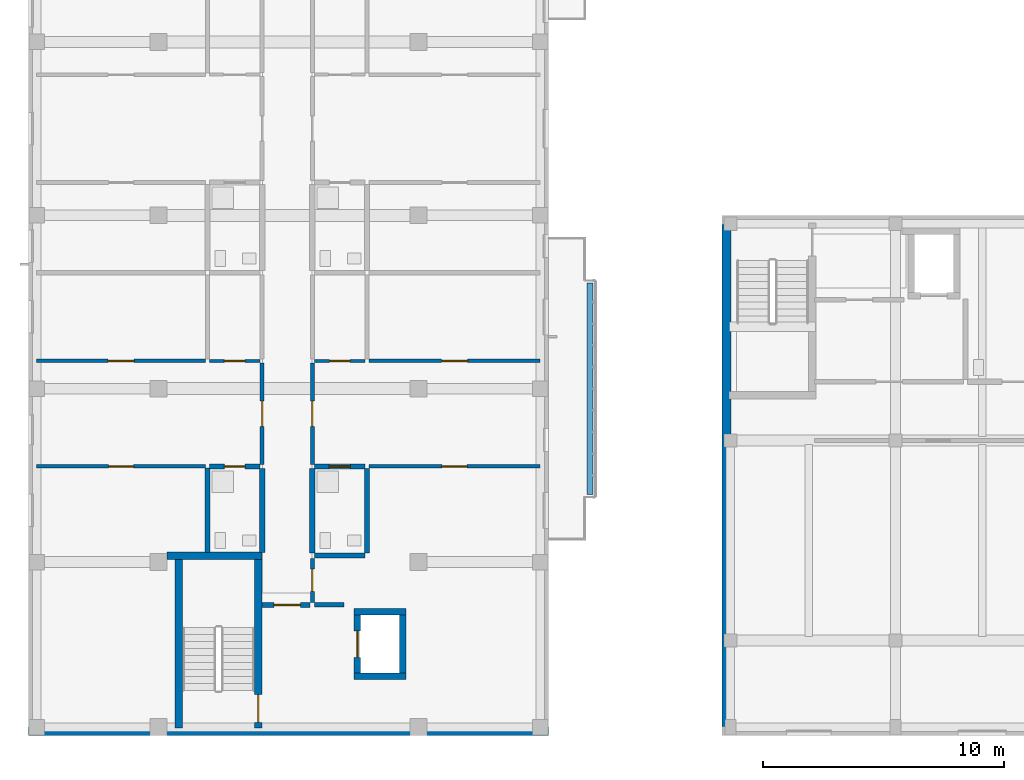
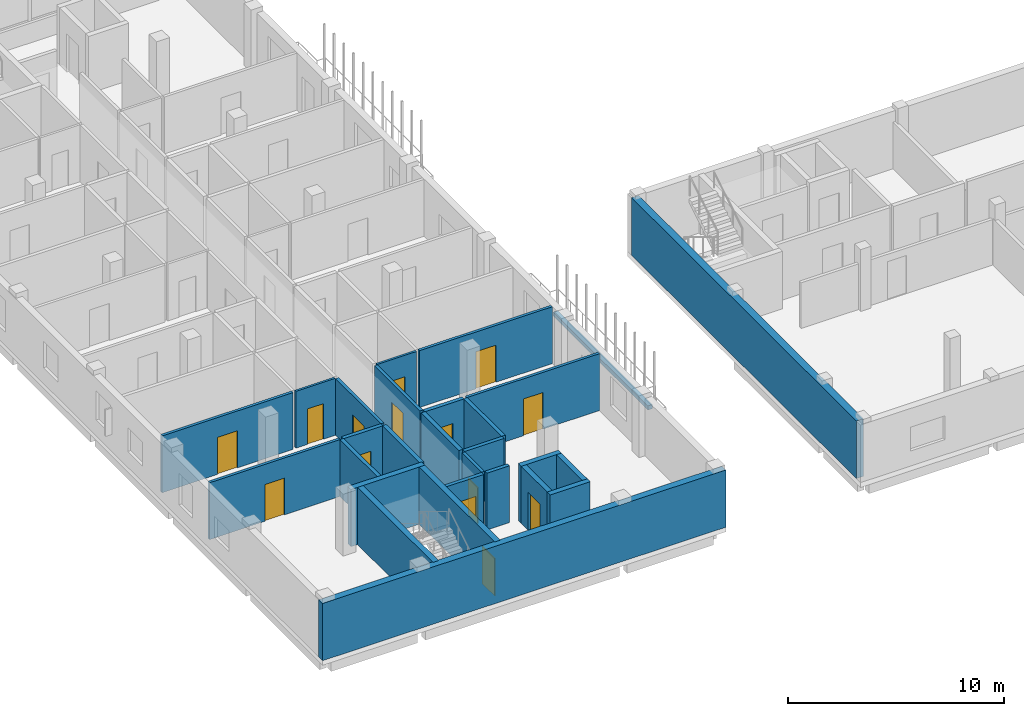
# One storey, part 35 of 73: 28 walls, 14 doors, 14 openings.
"""IFC4 building model written with IfcOpenShell, lengths in metres."""

import ifcopenshell
import ifcopenshell.guid

model = None  # the IFC model being written
_history = None  # IfcOwnerHistory: only IFC2X3 demands one
_inside = {}  # id of a spatial element -> (the spatial element, [elements in it])
_under = {}  # id of a project, library or spatial element -> (it, [spatial elements below it])
_declared = {}  # id of a project -> (the project, [libraries it declares])
_typed = {}  # id of a type object -> (the type object, [elements of that type])
_made_of = {}  # id of a material, layer set ... -> (it, [elements and type objects made of it])


def new_model(schema):
    """Start an empty IFC model of exactly this schema.

    Asked for "IFC4X3", IfcOpenShell would pick the latest addendum, in which some entities
    have other attributes; the version numbers below select the first issue.
    IFC2X3 requires an IfcOwnerHistory on every rooted entity: one is made here for all.
    """
    global model, _history
    if schema == "IFC4X3":
        model = ifcopenshell.file(schema_version=(4, 3, 0, 0))
    else:
        model = ifcopenshell.file(schema=schema)
    _inside.clear()
    _under.clear()
    _declared.clear()
    _typed.clear()
    _made_of.clear()
    _history = None
    if model.schema == "IFC2X3":
        org = make("IfcOrganization", Name="unknown")
        user = make(
            "IfcPersonAndOrganization",
            ThePerson=make("IfcPerson", FamilyName="unknown"),
            TheOrganization=org,
        )
        app = make(
            "IfcApplication",
            ApplicationDeveloper=org,
            Version="unknown",
            ApplicationFullName="unknown",
            ApplicationIdentifier="unknown",
        )
        _history = make(
            "IfcOwnerHistory",
            OwningUser=user,
            OwningApplication=app,
            ChangeAction="ADDED",
            CreationDate=0,
        )
    return model


def make(cls, **values):
    """One entity of the class cls with the attributes given. An attribute that is None is left unset."""
    return model.create_entity(
        cls, **{name: value for name, value in values.items() if value is not None}
    )


def rooted(cls, **values):
    """An entity with a GlobalId (a new one), such as an element, a storey or a relation."""
    return make(cls, GlobalId=ifcopenshell.guid.new(), OwnerHistory=_history, **values)


def si_unit(unit_type, name, prefix=None):
    """IfcSIUnit, for example si_unit("LENGTHUNIT", "METRE", prefix="MILLI")."""
    return make("IfcSIUnit", UnitType=unit_type, Prefix=prefix, Name=name)


def derived_unit(unit_type, elements):
    """IfcDerivedUnit: a product of units, each with its exponent."""
    return make(
        "IfcDerivedUnit",
        Elements=[
            make("IfcDerivedUnitElement", Unit=unit, Exponent=power)
            for unit, power in elements
        ],
        UnitType=unit_type,
    )


def assignment(units):
    """IfcUnitAssignment: the units of a project."""
    return None if units is None else make("IfcUnitAssignment", Units=units)


def point(xyz):
    """IfcCartesianPoint."""
    return None if xyz is None else make("IfcCartesianPoint", Coordinates=xyz)


def direction(xyz):
    """IfcDirection."""
    return None if xyz is None else make("IfcDirection", DirectionRatios=xyz)


def frame(location, z_axis=None, x_axis=None):
    """IfcAxis2Placement3D, a coordinate frame: its origin and axes. An axis left out is left unset."""
    return make(
        "IfcAxis2Placement3D",
        Location=point(location),
        Axis=direction(z_axis),
        RefDirection=direction(x_axis),
    )


def frame_2d(location, x_axis=None):
    """IfcAxis2Placement2D, a coordinate frame in the plane: its origin and x axis."""
    return make(
        "IfcAxis2Placement2D", Location=point(location), RefDirection=direction(x_axis)
    )


def origin():
    """The frame at (0, 0, 0) with its axes left unset."""
    return frame((0.0, 0.0, 0.0))


def place(relative_to, where):
    """IfcLocalPlacement: puts the frame where relative to a parent placement (None: the world)."""
    return make(
        "IfcLocalPlacement", PlacementRelTo=relative_to, RelativePlacement=where
    )


def context(
    kind, dimensions, precision=None, world=None, true_north=None, identifier=None
):
    """IfcGeometricRepresentationContext, for example the 3D "Model" context."""
    return make(
        "IfcGeometricRepresentationContext",
        ContextIdentifier=identifier,
        ContextType=kind,
        CoordinateSpaceDimension=dimensions,
        Precision=precision,
        WorldCoordinateSystem=world,
        TrueNorth=true_north,
    )


def subcontext(parent, identifier, kind, view, scale=None):
    """IfcGeometricRepresentationSubContext, for example "Body" below "Model"."""
    return make(
        "IfcGeometricRepresentationSubContext",
        ContextIdentifier=identifier,
        ContextType=kind,
        ParentContext=parent,
        TargetScale=scale,
        TargetView=view,
    )


def project(units=None, contexts=None):
    """IfcProject with its units and contexts."""
    return rooted(
        "IfcProject",
        Name="project",
        RepresentationContexts=contexts,
        UnitsInContext=assignment(units),
    )


def spatial(cls, under=None, at=None, **own):
    """A site, building, storey or space (cls), placed at a placement, below another one or the project."""
    s = rooted(cls, ObjectPlacement=at, **own)
    if under is not None:
        _under.setdefault(under.id(), (under, []))[1].append(s)
    return s


def profile(cls, at=None, kind="AREA", **sizes):
    """A parametric profile (cls). Its sizes go by their IFC names, for example OverallWidth=200.0."""
    return make(cls, ProfileType=kind, Position=at, **sizes)


def rectangle(**sizes):
    """IfcRectangleProfileDef."""
    return profile("IfcRectangleProfileDef", **sizes)


def extrude(swept, where, along, depth):
    """IfcExtrudedAreaSolid: the profile swept, set in the frame where, extruded along a direction by depth."""
    return make(
        "IfcExtrudedAreaSolid",
        SweptArea=swept,
        Position=where,
        ExtrudedDirection=direction(along),
        Depth=depth,
    )


def shape(context_of_items, identifier, shape_type, items):
    """IfcShapeRepresentation: the items that make up one representation, for example the "Body"."""
    return make(
        "IfcShapeRepresentation",
        ContextOfItems=context_of_items,
        RepresentationIdentifier=identifier,
        RepresentationType=shape_type,
        Items=items,
    )


def material(Name=None, Category=None):
    """IfcMaterial."""
    return make("IfcMaterial", Name=Name, Category=Category)


def layer(
    of_material, thickness, ventilated=None, Name=None, Category=None, Priority=None
):
    """IfcMaterialLayer: one layer of a wall or slab, of a material (None: an air gap)."""
    return make(
        "IfcMaterialLayer",
        Material=of_material,
        LayerThickness=thickness,
        IsVentilated=ventilated,
        Name=Name,
        Category=Category,
        Priority=Priority,
    )


def layer_set(layers, Name=None):
    """IfcMaterialLayerSet."""
    return make("IfcMaterialLayerSet", MaterialLayers=layers, LayerSetName=Name)


def made_of(thing, what):
    """Note that an element or type object is made of a material, layer set ...; save() writes the relation."""
    if what is not None:
        _made_of.setdefault(what.id(), (what, []))[1].append(thing)
    return thing


def type_object(cls, material=None, **own):
    """A type object (cls), such as IfcWallType, which elements share."""
    return made_of(rooted(cls, **own), material)


def element(
    cls,
    number,
    at=None,
    inside=None,
    cuts=None,
    type_object=None,
    material=None,
    context=None,
    identifier="Body",
    shape_type=None,
    held_by="IfcProductDefinitionShape",
    body=None,
    shapes=None,
    **own,
):
    """One element of the class cls, such as IfcWall. Its Tag is "e" and its number.

    at: its placement. inside: the storey or other place that contains it. cuts: it is an
    opening in that element (IfcRelVoidsElement). A single representation is given by context,
    identifier, shape_type and body (its items); several are given by shapes. held_by: the class
    of the entity that holds the representations. save() writes the other relations.
    """
    e = rooted(cls, Tag="e%d" % number, ObjectPlacement=at, **own)
    if body is not None:
        shapes = [shape(context, identifier, shape_type, body)]
    if shapes is not None:
        e.Representation = make(held_by, Representations=shapes)
    if inside is not None:
        _inside.setdefault(inside.id(), (inside, []))[1].append(e)
    if cuts is not None:
        rooted(
            "IfcRelVoidsElement", RelatingBuildingElement=cuts, RelatedOpeningElement=e
        )
    if type_object is not None:
        _typed.setdefault(type_object.id(), (type_object, []))[1].append(e)
    return made_of(e, material)


def fill(opening, filler):
    """IfcRelFillsElement: the door or window that sits in an opening."""
    return rooted(
        "IfcRelFillsElement",
        RelatingOpeningElement=opening,
        RelatedBuildingElement=filler,
    )


def aggregate(whole, parts):
    """IfcRelAggregates: a whole, such as a stair, and the parts it consists of."""
    return rooted("IfcRelAggregates", RelatingObject=whole, RelatedObjects=parts)


def save(model, path):
    """Write the relations noted so far, then the file.

    IfcRelAggregates (storeys below a building ...), IfcRelContainedInSpatialStructure (elements
    in a storey), IfcRelDefinesByType, IfcRelAssociatesMaterial and IfcRelDeclares: one each for
    every whole, place, type object, material and project.
    """
    for whole, parts in _under.values():
        aggregate(whole, parts)
    for where, things in _inside.values():
        rooted(
            "IfcRelContainedInSpatialStructure",
            RelatedElements=things,
            RelatingStructure=where,
        )
    for kind, things in _typed.values():
        rooted("IfcRelDefinesByType", RelatedObjects=things, RelatingType=kind)
    for what, things in _made_of.values():
        rooted("IfcRelAssociatesMaterial", RelatedObjects=things, RelatingMaterial=what)
    for by, libraries in _declared.values():
        rooted("IfcRelDeclares", RelatingContext=by, RelatedDefinitions=libraries)
    model.write(path)


model = new_model("IFC4")

# Units and contexts
model_context = context("Model", 3, precision=1e-05, world=origin(), true_north=direction((0.0, 1.0)))
body_context = subcontext(model_context, "Body", "Model", "MODEL_VIEW")
ifc_project = project(units=[si_unit("LENGTHUNIT", "METRE"), si_unit("AREAUNIT", "SQUARE_METRE"), si_unit("VOLUMEUNIT", "CUBIC_METRE"), si_unit("PLANEANGLEUNIT", "RADIAN"), si_unit("MASSUNIT", "GRAM", prefix="KILO"), derived_unit("THERMALTRANSMITTANCEUNIT", [(si_unit("MASSUNIT", "GRAM", prefix="KILO"), 1), (si_unit("TIMEUNIT", "SECOND"), -3), (si_unit("THERMODYNAMICTEMPERATUREUNIT", "KELVIN"), -1)])], contexts=[model_context])

# Site, building, storey
site_placement = place(None, origin())
site = spatial("IfcSite", under=ifc_project, at=site_placement, CompositionType="ELEMENT")
building_placement = place(site_placement, origin())
building = spatial("IfcBuilding", under=site, at=building_placement, Name="Ochrekiln Boulevard Commons", CompositionType="ELEMENT")
storey_placement = place(building_placement, frame((0.0, 0.0, 8.574951171875)))
storey = spatial("IfcBuildingStorey", under=building, at=storey_placement, Name="L02", CompositionType="ELEMENT", Elevation=8.574951171875)

# Walls
ifc_material_1 = material(Name="Desert ochre clinker brick masonry ASTM C216 Grade SW", Category="masonry")
ifc_layer_1 = layer(ifc_material_1, 0.3798828125)
ifc_layer_set_1 = layer_set([ifc_layer_1], Name="Desert ochre clinker brick masonry ASTM C216 Grade SW")
wall_type_1 = type_object("IfcWallType", Name="WL-EXT-ARC-380", PredefinedType="SOLIDWALL", material=ifc_layer_set_1)
wall_1_placement = place(storey_placement, frame((28.989990234375, 0.3798828125, 0.0), z_axis=(0.0, 0.0, 1.0), x_axis=(0.0, 1.0, 0.0)))
element("IfcWall", 1, at=wall_1_placement, inside=storey, type_object=wall_type_1, Name="West Boulevard Arcade L02 W Exterior Wall", PredefinedType="SOLIDWALL", context=body_context, shape_type="SweptSolid", body=[
    extrude(rectangle(XDim=20.840087890625, YDim=0.3798828125, at=frame_2d((10.419921875, 0.0))), origin(), (0.0, 0.0, 1.0), 3.260009765625),
])
ifc_material_2 = material(Name="Iron-spot brown clinker brick masonry ASTM C216 Grade SW", Category="masonry")
ifc_layer_2 = layer(ifc_material_2, 0.364990234375)
ifc_layer_set_2 = layer_set([ifc_layer_2], Name="Iron-spot brown clinker brick masonry ASTM C216 Grade SW")
wall_type_2 = type_object("IfcWallType", Name="WL-EXT-IRON-365", PredefinedType="SOLIDWALL", material=ifc_layer_set_2)
wall_2_placement = place(storey_placement, frame((0.0, 0.1826171875, 0.0), z_axis=(0.0, 0.0, 1.0), x_axis=(1.0, 0.0, 0.0)))
element("IfcWall", 2, at=wall_2_placement, inside=storey, type_object=wall_type_2, Name="Block D L02 S Exterior Wall", PredefinedType="SOLIDWALL", context=body_context, shape_type="SweptSolid", body=[
    extrude(rectangle(XDim=21.60009765625, YDim=0.364990234375, at=frame_2d((10.800048828125, 0.0))), origin(), (0.0, 0.0, 1.0), 3.239990234375),
])
ifc_material_3 = material(Name="Moisture-resistant cementitious tile backer wall")
ifc_layer_3 = layer(ifc_material_3, 0.199951171875)
ifc_layer_set_3 = layer_set([ifc_layer_3], Name="Moisture-resistant cementitious tile backer wall")
wall_type_3 = type_object("IfcWallType", Name="WL-PLM-200", PredefinedType="PLUMBINGWALL", material=ifc_layer_set_3)
wall_3_placement = place(storey_placement, frame((11.8720703125, 7.47509765625, 0.0), z_axis=(0.0, 0.0, 1.0), x_axis=(1.0, 0.0, 0.0)))
element("IfcWall", 3, at=wall_3_placement, inside=storey, type_object=wall_type_3, Name="L02 Interior Wall W-PW200", PredefinedType="PLUMBINGWALL", context=body_context, shape_type="SweptSolid", body=[
    extrude(rectangle(XDim=2.10791015625, YDim=0.199951171875, at=frame_2d((1.053955078125, 0.0))), origin(), (0.0, 0.0, 1.0), 3.219970703125),
])

# Wall, opening, door
wall_4_placement = place(storey_placement, frame((7.52001953125, 11.173095703125, 0.0), z_axis=(0.0, 0.0, 1.0), x_axis=(1.0, 0.0, 0.0)))
wall_4 = element("IfcWall", 4, at=wall_4_placement, inside=storey, type_object=wall_type_3, Name="L02 Interior Wall W-PW200", PredefinedType="PLUMBINGWALL", context=body_context, shape_type="SweptSolid", body=[
    extrude(rectangle(XDim=2.10791015625, YDim=0.199951171875, at=frame_2d((1.053955078125, 0.0))), origin(), (0.0, 0.0, 1.0), 3.219970703125),
])
opening_1_placement = place(wall_4_placement, frame((0.6201171875, 0.0, 0.0)))
opening_1 = element("IfcOpeningElement", 5, at=opening_1_placement, cuts=wall_4, Name="Opening D-L02-406", PredefinedType="OPENING", context=body_context, shape_type="SweptSolid", body=[
    extrude(rectangle(XDim=0.860107421875, YDim=2.0, at=frame_2d((0.43017578125, 1.0))), frame((0.0, 0.10986328125, 0.0), z_axis=(0.0, -1.0, 0.0), x_axis=(1.0, 0.0, 0.0)), (0.0, 0.0, 1.0), 0.219970703125),
])
ifc_material_4 = material(Name="Solid core architectural oak door leaf")
door_type_1 = type_object("IfcDoorType", Name="DR-INT-BTH-086", OperationType="NOTDEFINED", PredefinedType="DOOR", material=ifc_material_4)
door_1_placement = place(opening_1_placement, frame((0.860107421875, 0.0, 0.0), z_axis=(0.0, 0.0, 1.0), x_axis=(-1.0, 0.0, 0.0)))
door_1 = element("IfcDoor", 6, at=door_1_placement, inside=storey, type_object=door_type_1, Name="L02 Interior Door to Accessible Apartment Bathroom", OperationType="SINGLE_SWING_RIGHT", OverallHeight=2.0, OverallWidth=0.860107421875, PredefinedType="DOOR", context=body_context, shape_type="SweptSolid", body=[
    extrude(rectangle(XDim=0.860107421875, YDim=2.0, at=frame_2d((0.43017578125, 1.0))), frame((0.0, 0.02490234375, 0.0), z_axis=(0.0, -1.0, 0.0), x_axis=(1.0, 0.0, 0.0)), (0.0, 0.0, 1.0), 0.050048828125),
])
fill(opening_1, door_1)

# Wall
wall_5_placement = place(storey_placement, frame((7.43994140625, 7.60009765625, 0.0), z_axis=(0.0, 0.0, 1.0), x_axis=(0.0, 1.0, 0.0)))
element("IfcWall", 7, at=wall_5_placement, inside=storey, type_object=wall_type_3, Name="L02 Interior Wall W-PW200", PredefinedType="PLUMBINGWALL", context=body_context, shape_type="SweptSolid", body=[
    extrude(rectangle(XDim=3.497802734375, YDim=0.199951171875, at=frame_2d((1.7490234375, 0.0))), origin(), (0.0, 0.0, 1.0), 3.219970703125),
])

# Wall, opening, door
wall_6_placement = place(storey_placement, frame((11.8720703125, 11.173095703125, 0.0), z_axis=(0.0, 0.0, 1.0), x_axis=(1.0, 0.0, 0.0)))
wall_6 = element("IfcWall", 8, at=wall_6_placement, inside=storey, type_object=wall_type_3, Name="L02 Interior Wall W-PW200", PredefinedType="PLUMBINGWALL", context=body_context, shape_type="SweptSolid", body=[
    extrude(rectangle(XDim=2.10791015625, YDim=0.199951171875, at=frame_2d((1.053955078125, 0.0))), origin(), (0.0, 0.0, 1.0), 3.219970703125),
])
opening_2_placement = place(wall_6_placement, frame((0.613037109375, 0.0, 0.0)))
opening_2 = element("IfcOpeningElement", 9, at=opening_2_placement, cuts=wall_6, Name="Opening D-L02-418", PredefinedType="OPENING", context=body_context, shape_type="SweptSolid", body=[
    extrude(rectangle(XDim=0.889892578125, YDim=2.030029296875, at=frame_2d((0.44482421875, 1.01513671875))), frame((0.0, 0.10986328125, 0.0), z_axis=(0.0, -1.0, 0.0), x_axis=(1.0, 0.0, 0.0)), (0.0, 0.0, 1.0), 0.219970703125),
])
door_type_2 = type_object("IfcDoorType", Name="DR-INT-BTH-089", OperationType="NOTDEFINED", PredefinedType="DOOR", material=ifc_material_4)
door_2_placement = place(opening_2_placement, frame((0.889892578125, 0.0, 0.0), z_axis=(0.0, 0.0, 1.0), x_axis=(-1.0, 0.0, 0.0)))
door_2 = element("IfcDoor", 10, at=door_2_placement, inside=storey, type_object=door_type_2, Name="L02 Interior Door to Apartment Bathroom", OperationType="SINGLE_SWING_RIGHT", OverallHeight=2.030029296875, OverallWidth=0.889892578125, PredefinedType="DOOR", context=body_context, shape_type="SweptSolid", body=[
    extrude(rectangle(XDim=0.889892578125, YDim=2.030029296875, at=frame_2d((0.44482421875, 1.01513671875))), frame((0.0, 0.02490234375, 0.0), z_axis=(0.0, -1.0, 0.0), x_axis=(1.0, 0.0, 0.0)), (0.0, 0.0, 1.0), 0.050048828125),
])
fill(opening_2, door_2)

# Walls
wall_7_placement = place(storey_placement, frame((14.06005859375, 7.574951171875, 0.0), z_axis=(0.0, 0.0, 1.0), x_axis=(0.0, 1.0, 0.0)))
element("IfcWall", 11, at=wall_7_placement, inside=storey, type_object=wall_type_3, Name="L02 Interior Wall W-PW200", PredefinedType="PLUMBINGWALL", context=body_context, shape_type="SweptSolid", body=[
    extrude(rectangle(XDim=3.52294921875, YDim=0.199951171875, at=frame_2d((1.761474609375, 0.0))), origin(), (0.0, 0.0, 1.0), 3.219970703125),
])
ifc_layer_4 = layer(ifc_material_3, 0.219970703125)
ifc_layer_set_4 = layer_set([ifc_layer_4], Name="Moisture-resistant cementitious tile backer wall")
wall_type_4 = type_object("IfcWallType", Name="WL-PLM-220", PredefinedType="PLUMBINGWALL", material=ifc_layer_set_4)
wall_8_placement = place(storey_placement, frame((9.7099609375, 7.60009765625, 0.0), z_axis=(0.0, 0.0, 1.0), x_axis=(0.0, 1.0, 0.0)))
element("IfcWall", 12, at=wall_8_placement, inside=storey, type_object=wall_type_4, Name="L02 Interior Wall W-PW220", PredefinedType="PLUMBINGWALL", context=body_context, shape_type="SweptSolid", body=[
    extrude(rectangle(XDim=3.492919921875, YDim=0.219970703125, at=frame_2d((1.74658203125, 0.0))), origin(), (0.0, 0.0, 1.0), 3.219970703125),
])
wall_9_placement = place(storey_placement, frame((11.7900390625, 7.574951171875, 0.0), z_axis=(0.0, 0.0, 1.0), x_axis=(0.0, 1.0, 0.0)))
element("IfcWall", 13, at=wall_9_placement, inside=storey, type_object=wall_type_4, Name="L02 Interior Wall W-PW220", PredefinedType="PLUMBINGWALL", context=body_context, shape_type="SweptSolid", body=[
    extrude(rectangle(XDim=3.51806640625, YDim=0.219970703125, at=frame_2d((1.759033203125, 0.0))), origin(), (0.0, 0.0, 1.0), 3.219970703125),
])
ifc_material_5 = material(Name="Glazed architectural terracotta ASTM C1405", Category="masonry")
ifc_layer_5 = layer(ifc_material_5, 0.25)
ifc_layer_set_5 = layer_set([ifc_layer_5], Name="Glazed architectural terracotta ASTM C1405")
wall_type_5 = type_object("IfcWallType", Name="WL-PLN-250", PredefinedType="PARAPET", material=ifc_layer_set_5)
wall_10_placement = place(storey_placement, frame((23.320068359375, 10.010009765625, 0.0), z_axis=(0.0, 0.0, 1.0), x_axis=(0.0, 1.0, 0.0)))
element("IfcWall", 14, at=wall_10_placement, inside=storey, type_object=wall_type_5, Name="Block D L02 Balcony Terracotta Planter Box 1", PredefinedType="PARAPET", context=body_context, shape_type="SweptSolid", body=[
    extrude(rectangle(XDim=8.780029296875, YDim=0.25, at=frame_2d((4.39013671875, 0.0))), origin(), (0.0, 0.0, 1.0), 0.22998046875),
])

# Wall, opening, door
ifc_material_6 = material(Name="Fire-rated Type X gypsum board on steel studs", Category="steel")
ifc_layer_6 = layer(ifc_material_6, 0.1650390625)
ifc_layer_set_6 = layer_set([ifc_layer_6], Name="Fire-rated Type X gypsum board on steel studs")
wall_type_6 = type_object("IfcWallType", Name="WL-PT-CORR-165", PredefinedType="PARTITIONING", material=ifc_layer_set_6)
wall_11_placement = place(storey_placement, frame((11.7900390625, 5.530029296875, 0.0), z_axis=(0.0, 0.0, 1.0), x_axis=(0.0, 1.0, 0.0)))
wall_11 = element("IfcWall", 15, at=wall_11_placement, inside=storey, type_object=wall_type_6, Name="L02 Interior Wall W-PC165", PredefinedType="PARTITIONING", context=body_context, shape_type="SweptSolid", body=[
    extrude(rectangle(XDim=1.820068359375, YDim=0.1650390625, at=frame_2d((0.91015625, 0.0))), origin(), (0.0, 0.0, 1.0), 3.219970703125),
])
opening_3_placement = place(wall_11_placement, frame((0.4599609375, 0.0, 0.0)))
opening_3 = element("IfcOpeningElement", 16, at=opening_3_placement, cuts=wall_11, Name="Opening D-L02-399", PredefinedType="OPENING", context=body_context, shape_type="SweptSolid", body=[
    extrude(rectangle(XDim=0.919921875, YDim=2.0400390625, at=frame_2d((0.4599609375, 1.02001953125))), frame((0.0, 0.092529296875, 0.0), z_axis=(0.0, -1.0, 0.0), x_axis=(1.0, 0.0, 0.0)), (0.0, 0.0, 1.0), 0.18505859375),
])
ifc_material_7 = material(Name="Hollow metal fire-rated steel door assembly", Category="steel")
door_type_3 = type_object("IfcDoorType", Name="DR-SRV-90", OperationType="NOTDEFINED", PredefinedType="DOOR", material=ifc_material_7)
door_3_placement = place(opening_3_placement, frame((0.919921875, 0.0, 0.0), z_axis=(0.0, 0.0, 1.0), x_axis=(-1.0, 0.0, 0.0)))
door_3 = element("IfcDoor", 17, at=door_3_placement, inside=storey, type_object=door_type_3, Name="L02 Interior Door to Hydronic and Electrical Riser Room", OperationType="SINGLE_SWING_LEFT", OverallHeight=2.0400390625, OverallWidth=0.919921875, PredefinedType="DOOR", context=body_context, shape_type="SweptSolid", body=[
    extrude(rectangle(XDim=0.919921875, YDim=2.0400390625, at=frame_2d((0.4599609375, 1.02001953125))), frame((0.0, 0.02490234375, 0.0), z_axis=(0.0, -1.0, 0.0), x_axis=(1.0, 0.0, 0.0)), (0.0, 0.0, 1.0), 0.050048828125),
])
fill(opening_3, door_3)

wall_12_placement = place(storey_placement, frame((9.7099609375, 11.2529296875, 0.0), z_axis=(0.0, 0.0, 1.0), x_axis=(0.0, 1.0, 0.0)))
wall_12 = element("IfcWall", 18, at=wall_12_placement, inside=storey, type_object=wall_type_6, Name="L02 Interior Wall W-PC165", PredefinedType="PARTITIONING", context=body_context, shape_type="SweptSolid", body=[
    extrude(rectangle(XDim=4.219970703125, YDim=0.1650390625, at=frame_2d((2.10986328125, 0.0))), origin(), (0.0, 0.0, 1.0), 3.219970703125),
])
opening_4_placement = place(wall_12_placement, frame((1.5849609375, 0.0, 0.0)))
opening_4 = element("IfcOpeningElement", 19, at=opening_4_placement, cuts=wall_12, Name="Opening D-L02-400", PredefinedType="OPENING", context=body_context, shape_type="SweptSolid", body=[
    extrude(rectangle(XDim=1.050048828125, YDim=2.1298828125, at=frame_2d((0.52490234375, 1.06494140625))), frame((0.0, 0.092529296875, 0.0), z_axis=(0.0, -1.0, 0.0), x_axis=(1.0, 0.0, 0.0)), (0.0, 0.0, 1.0), 0.18505859375),
])
door_type_4 = type_object("IfcDoorType", Name="DR-INT-APT-105", OperationType="NOTDEFINED", PredefinedType="DOOR", material=ifc_material_4)
door_4_placement = place(opening_4_placement, origin())
door_4 = element("IfcDoor", 20, at=door_4_placement, inside=storey, type_object=door_type_4, Name="L02 Interior Door to Two-Bedroom Apartment Living Room", OperationType="SINGLE_SWING_RIGHT", OverallHeight=2.1298828125, OverallWidth=1.050048828125, PredefinedType="DOOR", context=body_context, shape_type="SweptSolid", body=[
    extrude(rectangle(XDim=1.050048828125, YDim=2.1298828125, at=frame_2d((0.52490234375, 1.06494140625))), frame((0.0, 0.02490234375, 0.0), z_axis=(0.0, -1.0, 0.0), x_axis=(1.0, 0.0, 0.0)), (0.0, 0.0, 1.0), 0.050048828125),
])
fill(opening_4, door_4)

wall_13_placement = place(storey_placement, frame((11.7900390625, 11.2529296875, 0.0), z_axis=(0.0, 0.0, 1.0), x_axis=(0.0, 1.0, 0.0)))
wall_13 = element("IfcWall", 21, at=wall_13_placement, inside=storey, type_object=wall_type_6, Name="L02 Interior Wall W-PC165", PredefinedType="PARTITIONING", context=body_context, shape_type="SweptSolid", body=[
    extrude(rectangle(XDim=4.219970703125, YDim=0.1650390625, at=frame_2d((2.10986328125, 0.0))), origin(), (0.0, 0.0, 1.0), 3.219970703125),
])
opening_5_placement = place(wall_13_placement, frame((1.5849609375, 0.0, 0.0)))
opening_5 = element("IfcOpeningElement", 22, at=opening_5_placement, cuts=wall_13, Name="Opening D-L02-403", PredefinedType="OPENING", context=body_context, shape_type="SweptSolid", body=[
    extrude(rectangle(XDim=1.050048828125, YDim=2.1298828125, at=frame_2d((0.52490234375, 1.06494140625))), frame((0.0, 0.092529296875, 0.0), z_axis=(0.0, -1.0, 0.0), x_axis=(1.0, 0.0, 0.0)), (0.0, 0.0, 1.0), 0.18505859375),
])
door_5_placement = place(opening_5_placement, frame((1.050048828125, 0.0, 0.0), z_axis=(0.0, 0.0, 1.0), x_axis=(-1.0, 0.0, 0.0)))
door_5 = element("IfcDoor", 23, at=door_5_placement, inside=storey, type_object=door_type_4, Name="L02 Interior Door to Two-Bedroom Apartment Living Room", OperationType="SINGLE_SWING_LEFT", OverallHeight=2.1298828125, OverallWidth=1.050048828125, PredefinedType="DOOR", context=body_context, shape_type="SweptSolid", body=[
    extrude(rectangle(XDim=1.050048828125, YDim=2.1298828125, at=frame_2d((0.52490234375, 1.06494140625))), frame((0.0, 0.02490234375, 0.0), z_axis=(0.0, -1.0, 0.0), x_axis=(1.0, 0.0, 0.0)), (0.0, 0.0, 1.0), 0.050048828125),
])
fill(opening_5, door_5)

# Wall
ifc_layer_7 = layer(ifc_material_6, 0.18994140625)
ifc_layer_set_7 = layer_set([ifc_layer_7], Name="Fire-rated Type X gypsum board on steel studs")
wall_type_7 = type_object("IfcWallType", Name="WL-PT-LBY-190", PredefinedType="PARTITIONING", material=ifc_layer_set_7)
wall_14_placement = place(storey_placement, frame((11.8798828125, 5.43505859375, 0.0), z_axis=(0.0, 0.0, 1.0), x_axis=(1.0, 0.0, 0.0)))
element("IfcWall", 24, at=wall_14_placement, inside=storey, type_object=wall_type_7, Name="L02 Interior Wall W-PL190", PredefinedType="PARTITIONING", context=body_context, shape_type="SweptSolid", body=[
    extrude(rectangle(XDim=1.22021484375, YDim=0.18994140625, at=frame_2d((0.610107421875, 0.0))), origin(), (0.0, 0.0, 1.0), 3.219970703125),
])

# Wall, opening, door
wall_15_placement = place(storey_placement, frame((9.699951171875, 5.419921875, 0.0), z_axis=(0.0, 0.0, 1.0), x_axis=(1.0, 0.0, 0.0)))
wall_15 = element("IfcWall", 25, at=wall_15_placement, inside=storey, type_object=wall_type_7, Name="L02 Interior Wall W-PL190", PredefinedType="PARTITIONING", context=body_context, shape_type="SweptSolid", body=[
    extrude(rectangle(XDim=2.0, YDim=0.18994140625, at=frame_2d((1.0, 0.0))), origin(), (0.0, 0.0, 1.0), 3.219970703125),
])
opening_6_placement = place(wall_15_placement, frame((0.5, 0.0, 0.0)))
opening_6 = element("IfcOpeningElement", 26, at=opening_6_placement, cuts=wall_15, Name="Opening D-L02-397", PredefinedType="OPENING", context=body_context, shape_type="SweptSolid", body=[
    extrude(rectangle(XDim=1.10009765625, YDim=2.1201171875, at=frame_2d((0.550048828125, 1.06005859375))), frame((0.0, 0.10498046875, 0.0), z_axis=(0.0, -1.0, 0.0), x_axis=(1.0, 0.0, 0.0)), (0.0, 0.0, 1.0), 0.2099609375),
])
door_type_5 = type_object("IfcDoorType", Name="DR-LOBBY-60", OperationType="NOTDEFINED", PredefinedType="DOOR", material=ifc_material_7)
door_6_placement = place(opening_6_placement, frame((1.10009765625, 0.0, 0.0), z_axis=(0.0, 0.0, 1.0), x_axis=(-1.0, 0.0, 0.0)))
door_6 = element("IfcDoor", 27, at=door_6_placement, inside=storey, type_object=door_type_5, Name="L02 Interior Door to Passenger Elevator Lobby", OperationType="SINGLE_SWING_LEFT", OverallHeight=2.1201171875, OverallWidth=1.10009765625, PredefinedType="DOOR", context=body_context, shape_type="SweptSolid", body=[
    extrude(rectangle(XDim=1.10009765625, YDim=2.1201171875, at=frame_2d((0.550048828125, 1.06005859375))), frame((0.0, 0.02490234375, 0.0), z_axis=(0.0, -1.0, 0.0), x_axis=(1.0, 0.0, 0.0)), (0.0, 0.0, 1.0), 0.050048828125),
])
fill(opening_6, door_6)

ifc_layer_8 = layer(ifc_material_6, 0.1201171875)
ifc_layer_set_8 = layer_set([ifc_layer_8], Name="Fire-rated Type X gypsum board on steel studs")
wall_type_8 = type_object("IfcWallType", Name="WL-PT-LGT-120", PredefinedType="PARTITIONING", material=ifc_layer_set_8)
wall_16_placement = place(storey_placement, frame((7.52001953125, 15.552978515625, 0.0), z_axis=(0.0, 0.0, 1.0), x_axis=(1.0, 0.0, 0.0)))
wall_16 = element("IfcWall", 28, at=wall_16_placement, inside=storey, type_object=wall_type_8, Name="L02 Interior Wall W-PL120", PredefinedType="PARTITIONING", context=body_context, shape_type="SweptSolid", body=[
    extrude(rectangle(XDim=2.10791015625, YDim=0.1201171875, at=frame_2d((1.053955078125, 0.0))), origin(), (0.0, 0.0, 1.0), 3.219970703125),
])
opening_7_placement = place(wall_16_placement, frame((0.625, 0.0, 0.0)))
opening_7 = element("IfcOpeningElement", 29, at=opening_7_placement, cuts=wall_16, Name="Opening D-L02-407", PredefinedType="OPENING", context=body_context, shape_type="SweptSolid", body=[
    extrude(rectangle(XDim=0.85009765625, YDim=2.010009765625, at=frame_2d((0.425048828125, 1.0048828125))), frame((0.0, 0.070068359375, 0.0), z_axis=(0.0, -1.0, 0.0), x_axis=(1.0, 0.0, 0.0)), (0.0, 0.0, 1.0), 0.14013671875),
])
door_type_6 = type_object("IfcDoorType", Name="DR-INT-KIT-085", OperationType="NOTDEFINED", PredefinedType="DOOR", material=ifc_material_4)
door_7_placement = place(opening_7_placement, origin())
door_7 = element("IfcDoor", 30, at=door_7_placement, inside=storey, type_object=door_type_6, Name="L02 Interior Door to Apartment Kitchen", OperationType="SINGLE_SWING_LEFT", OverallHeight=2.010009765625, OverallWidth=0.85009765625, PredefinedType="DOOR", context=body_context, shape_type="SweptSolid", body=[
    extrude(rectangle(XDim=0.85009765625, YDim=2.010009765625, at=frame_2d((0.425048828125, 1.0048828125))), frame((0.0, 0.02490234375, 0.0), z_axis=(0.0, -1.0, 0.0), x_axis=(1.0, 0.0, 0.0)), (0.0, 0.0, 1.0), 0.050048828125),
])
fill(opening_7, door_7)

wall_17_placement = place(storey_placement, frame((11.8720703125, 15.552978515625, 0.0), z_axis=(0.0, 0.0, 1.0), x_axis=(1.0, 0.0, 0.0)))
wall_17 = element("IfcWall", 31, at=wall_17_placement, inside=storey, type_object=wall_type_8, Name="L02 Interior Wall W-PL120", PredefinedType="PARTITIONING", context=body_context, shape_type="SweptSolid", body=[
    extrude(rectangle(XDim=2.10791015625, YDim=0.1201171875, at=frame_2d((1.053955078125, 0.0))), origin(), (0.0, 0.0, 1.0), 3.219970703125),
])
opening_8_placement = place(wall_17_placement, frame((0.633056640625, 0.0, 0.0)))
opening_8 = element("IfcOpeningElement", 32, at=opening_8_placement, cuts=wall_17, Name="Opening D-L02-419", PredefinedType="OPENING", context=body_context, shape_type="SweptSolid", body=[
    extrude(rectangle(XDim=0.85009765625, YDim=2.010009765625, at=frame_2d((0.425048828125, 1.0048828125))), frame((0.0, 0.070068359375, 0.0), z_axis=(0.0, -1.0, 0.0), x_axis=(1.0, 0.0, 0.0)), (0.0, 0.0, 1.0), 0.14013671875),
])
door_8_placement = place(opening_8_placement, origin())
door_8 = element("IfcDoor", 33, at=door_8_placement, inside=storey, type_object=door_type_6, Name="L02 Interior Door to Apartment Kitchen", OperationType="SINGLE_SWING_LEFT", OverallHeight=2.010009765625, OverallWidth=0.85009765625, PredefinedType="DOOR", context=body_context, shape_type="SweptSolid", body=[
    extrude(rectangle(XDim=0.85009765625, YDim=2.010009765625, at=frame_2d((0.425048828125, 1.0048828125))), frame((0.0, 0.02490234375, 0.0), z_axis=(0.0, -1.0, 0.0), x_axis=(1.0, 0.0, 0.0)), (0.0, 0.0, 1.0), 0.050048828125),
])
fill(opening_8, door_8)

ifc_layer_9 = layer(ifc_material_6, 0.14990234375)
ifc_layer_set_9 = layer_set([ifc_layer_9], Name="Fire-rated Type X gypsum board on steel studs")
wall_type_9 = type_object("IfcWallType", Name="WL-PT-STD-150", PredefinedType="PARTITIONING", material=ifc_layer_set_9)
wall_18_placement = place(storey_placement, frame((0.35009765625, 11.173095703125, 0.0), z_axis=(0.0, 0.0, 1.0), x_axis=(1.0, 0.0, 0.0)))
wall_18 = element("IfcWall", 34, at=wall_18_placement, inside=storey, type_object=wall_type_9, Name="L02 Interior Wall W-PS150", PredefinedType="PARTITIONING", context=body_context, shape_type="SweptSolid", body=[
    extrude(rectangle(XDim=7.010009765625, YDim=0.14990234375, at=frame_2d((3.5048828125, 0.0))), origin(), (0.0, 0.0, 1.0), 3.219970703125),
])
opening_9_placement = place(wall_18_placement, frame((2.985107421875, 0.0, 0.0)))
opening_9 = element("IfcOpeningElement", 35, at=opening_9_placement, cuts=wall_18, Name="Opening D-L02-408", PredefinedType="OPENING", context=body_context, shape_type="SweptSolid", body=[
    extrude(rectangle(XDim=1.0400390625, YDim=2.080078125, at=frame_2d((0.52001953125, 1.0400390625))), frame((0.0, 0.0849609375, 0.0), z_axis=(0.0, -1.0, 0.0), x_axis=(1.0, 0.0, 0.0)), (0.0, 0.0, 1.0), 0.169921875),
])
door_type_7 = type_object("IfcDoorType", Name="DR-INT-BED-104", OperationType="NOTDEFINED", PredefinedType="DOOR", material=ifc_material_4)
door_9_placement = place(opening_9_placement, frame((1.0400390625, 0.0, 0.0), z_axis=(0.0, 0.0, 1.0), x_axis=(-1.0, 0.0, 0.0)))
door_9 = element("IfcDoor", 36, at=door_9_placement, inside=storey, type_object=door_type_7, Name="L02 Interior Door to Primary Apartment Bedroom", OperationType="SINGLE_SWING_RIGHT", OverallHeight=2.080078125, OverallWidth=1.0400390625, PredefinedType="DOOR", context=body_context, shape_type="SweptSolid", body=[
    extrude(rectangle(XDim=1.0400390625, YDim=2.080078125, at=frame_2d((0.52001953125, 1.0400390625))), frame((0.0, 0.02490234375, 0.0), z_axis=(0.0, -1.0, 0.0), x_axis=(1.0, 0.0, 0.0)), (0.0, 0.0, 1.0), 0.050048828125),
])
fill(opening_9, door_9)

wall_19_placement = place(storey_placement, frame((0.35009765625, 15.552978515625, 0.0), z_axis=(0.0, 0.0, 1.0), x_axis=(1.0, 0.0, 0.0)))
wall_19 = element("IfcWall", 37, at=wall_19_placement, inside=storey, type_object=wall_type_9, Name="L02 Interior Wall W-PS150", PredefinedType="PARTITIONING", context=body_context, shape_type="SweptSolid", body=[
    extrude(rectangle(XDim=7.010009765625, YDim=0.14990234375, at=frame_2d((3.5048828125, 0.0))), origin(), (0.0, 0.0, 1.0), 3.219970703125),
])
opening_10_placement = place(wall_19_placement, frame((2.965087890625, 0.0, 0.0)))
opening_10 = element("IfcOpeningElement", 38, at=opening_10_placement, cuts=wall_19, Name="Opening D-L02-409", PredefinedType="OPENING", context=body_context, shape_type="SweptSolid", body=[
    extrude(rectangle(XDim=1.080078125, YDim=2.10009765625, at=frame_2d((0.5400390625, 1.050048828125))), frame((0.0, 0.0849609375, 0.0), z_axis=(0.0, -1.0, 0.0), x_axis=(1.0, 0.0, 0.0)), (0.0, 0.0, 1.0), 0.169921875),
])
door_type_8 = type_object("IfcDoorType", Name="DR-INT-BED-108", OperationType="NOTDEFINED", PredefinedType="DOOR", material=ifc_material_4)
door_10_placement = place(opening_10_placement, origin())
door_10 = element("IfcDoor", 39, at=door_10_placement, inside=storey, type_object=door_type_8, Name="L02 Interior Door to Secondary Apartment Bedroom", OperationType="SINGLE_SWING_LEFT", OverallHeight=2.10009765625, OverallWidth=1.080078125, PredefinedType="DOOR", context=body_context, shape_type="SweptSolid", body=[
    extrude(rectangle(XDim=1.080078125, YDim=2.10009765625, at=frame_2d((0.5400390625, 1.050048828125))), frame((0.0, 0.02490234375, 0.0), z_axis=(0.0, -1.0, 0.0), x_axis=(1.0, 0.0, 0.0)), (0.0, 0.0, 1.0), 0.050048828125),
])
fill(opening_10, door_10)

wall_20_placement = place(storey_placement, frame((14.139892578125, 11.173095703125, 0.0), z_axis=(0.0, 0.0, 1.0), x_axis=(1.0, 0.0, 0.0)))
wall_20 = element("IfcWall", 40, at=wall_20_placement, inside=storey, type_object=wall_type_9, Name="L02 Interior Wall W-PS150", PredefinedType="PARTITIONING", context=body_context, shape_type="SweptSolid", body=[
    extrude(rectangle(XDim=7.110107421875, YDim=0.14990234375, at=frame_2d((3.55517578125, 0.0))), origin(), (0.0, 0.0, 1.0), 3.219970703125),
])
opening_11_placement = place(wall_20_placement, frame((3.034912109375, 0.0, 0.0)))
opening_11 = element("IfcOpeningElement", 41, at=opening_11_placement, cuts=wall_20, Name="Opening D-L02-420", PredefinedType="OPENING", context=body_context, shape_type="SweptSolid", body=[
    extrude(rectangle(XDim=1.0400390625, YDim=2.080078125, at=frame_2d((0.52001953125, 1.0400390625))), frame((0.0, 0.0849609375, 0.0), z_axis=(0.0, -1.0, 0.0), x_axis=(1.0, 0.0, 0.0)), (0.0, 0.0, 1.0), 0.169921875),
])
door_11_placement = place(opening_11_placement, frame((1.0400390625, 0.0, 0.0), z_axis=(0.0, 0.0, 1.0), x_axis=(-1.0, 0.0, 0.0)))
door_11 = element("IfcDoor", 42, at=door_11_placement, inside=storey, type_object=door_type_7, Name="L02 Interior Door to Primary Apartment Bedroom", OperationType="SINGLE_SWING_RIGHT", OverallHeight=2.080078125, OverallWidth=1.0400390625, PredefinedType="DOOR", context=body_context, shape_type="SweptSolid", body=[
    extrude(rectangle(XDim=1.0400390625, YDim=2.080078125, at=frame_2d((0.52001953125, 1.0400390625))), frame((0.0, 0.02490234375, 0.0), z_axis=(0.0, -1.0, 0.0), x_axis=(1.0, 0.0, 0.0)), (0.0, 0.0, 1.0), 0.050048828125),
])
fill(opening_11, door_11)

wall_21_placement = place(storey_placement, frame((14.139892578125, 15.552978515625, 0.0), z_axis=(0.0, 0.0, 1.0), x_axis=(1.0, 0.0, 0.0)))
wall_21 = element("IfcWall", 43, at=wall_21_placement, inside=storey, type_object=wall_type_9, Name="L02 Interior Wall W-PS150", PredefinedType="PARTITIONING", context=body_context, shape_type="SweptSolid", body=[
    extrude(rectangle(XDim=7.110107421875, YDim=0.14990234375, at=frame_2d((3.55517578125, 0.0))), origin(), (0.0, 0.0, 1.0), 3.219970703125),
])
opening_12_placement = place(wall_21_placement, frame((3.014892578125, 0.0, 0.0)))
opening_12 = element("IfcOpeningElement", 44, at=opening_12_placement, cuts=wall_21, Name="Opening D-L02-421", PredefinedType="OPENING", context=body_context, shape_type="SweptSolid", body=[
    extrude(rectangle(XDim=1.080078125, YDim=2.10009765625, at=frame_2d((0.5400390625, 1.050048828125))), frame((0.0, 0.0849609375, 0.0), z_axis=(0.0, -1.0, 0.0), x_axis=(1.0, 0.0, 0.0)), (0.0, 0.0, 1.0), 0.169921875),
])
door_12_placement = place(opening_12_placement, origin())
door_12 = element("IfcDoor", 45, at=door_12_placement, inside=storey, type_object=door_type_8, Name="L02 Interior Door to Secondary Apartment Bedroom", OperationType="SINGLE_SWING_LEFT", OverallHeight=2.10009765625, OverallWidth=1.080078125, PredefinedType="DOOR", context=body_context, shape_type="SweptSolid", body=[
    extrude(rectangle(XDim=1.080078125, YDim=2.10009765625, at=frame_2d((0.5400390625, 1.050048828125))), frame((0.0, 0.02490234375, 0.0), z_axis=(0.0, -1.0, 0.0), x_axis=(1.0, 0.0, 0.0)), (0.0, 0.0, 1.0), 0.050048828125),
])
fill(opening_12, door_12)

# Walls
ifc_material_8 = material(Name="Concrete C40/50", Category="concrete")
ifc_layer_10 = layer(ifc_material_8, 0.27490234375)
ifc_layer_set_10 = layer_set([ifc_layer_10], Name="Concrete C40/50")
wall_type_10 = type_object("IfcWallType", Name="WL-SH-275", PredefinedType="SHEAR", material=ifc_layer_set_10)
for number, where, z_axis, x_axis, name in (
    (46, (13.52490234375, 2.46240234375, 0.0), (0.0, 0.0, 1.0), (1.0, 0.0, 0.0), "Elevator LP-D1 L02 Hoistway Shear Wall"),
    (47, (13.52490234375, 5.137451171875, 0.0), (0.0, 0.0, 1.0), (1.0, 0.0, 0.0), "Elevator LP-D1 L02 Hoistway Shear Wall"),
):
    element("IfcWall", number, at=place(storey_placement, frame(where, z_axis=z_axis, x_axis=x_axis)), inside=storey, type_object=wall_type_10, Name=name, PredefinedType="SHEAR", context=body_context, shape_type="SweptSolid", body=[
        extrude(rectangle(XDim=2.150146484375, YDim=0.27490234375, at=frame_2d((1.0751953125, 0.0))), origin(), (0.0, 0.0, 1.0), 3.239990234375),
    ])

# Wall, opening, door
wall_22_placement = place(storey_placement, frame((13.66259765625, 2.60009765625, 0.0), z_axis=(0.0, 0.0, 1.0), x_axis=(0.0, 1.0, 0.0)))
wall_22 = element("IfcWall", 48, at=wall_22_placement, inside=storey, type_object=wall_type_10, Name="Elevator LP-D1 L02 Hoistway Shear Wall", PredefinedType="SHEAR", context=body_context, shape_type="SweptSolid", body=[
    extrude(rectangle(XDim=2.39990234375, YDim=0.27490234375, at=frame_2d((1.199951171875, 0.0))), origin(), (0.0, 0.0, 1.0), 3.239990234375),
])
opening_13_placement = place(wall_22_placement, frame((0.64990234375, 0.0, 0.0)))
opening_13 = element("IfcOpeningElement", 49, at=opening_13_placement, cuts=wall_22, Name="Opening LD-LP-D1-L02", PredefinedType="OPENING", context=body_context, shape_type="SweptSolid", body=[
    extrude(rectangle(XDim=1.10009765625, YDim=2.14990234375, at=frame_2d((0.550048828125, 1.074951171875))), frame((0.0, 0.1474609375, 0.0), z_axis=(0.0, -1.0, 0.0), x_axis=(1.0, 0.0, 0.0)), (0.0, 0.0, 1.0), 0.294921875),
])
ifc_material_9 = material(Name="Brushed stainless steel 316 elevator cab and doors", Category="steel")
door_type_9 = type_object("IfcDoorType", Name="DR-LIFT-LD90", OperationType="SLIDING_TO_LEFT", PredefinedType="DOOR", material=ifc_material_9)
door_13_placement = place(opening_13_placement, origin())
door_13 = element("IfcDoor", 50, at=door_13_placement, inside=storey, type_object=door_type_9, Name="Elevator LP-D1 L02 Sliding Landing Door LD-LP-D1-L02", OperationType="SLIDING_TO_LEFT", OverallHeight=2.14990234375, OverallWidth=1.10009765625, PredefinedType="DOOR", context=body_context, shape_type="SweptSolid", body=[
    extrude(rectangle(XDim=1.10009765625, YDim=2.14990234375, at=frame_2d((0.550048828125, 1.074951171875))), frame((0.0, 0.02490234375, 0.0), z_axis=(0.0, -1.0, 0.0), x_axis=(1.0, 0.0, 0.0)), (0.0, 0.0, 1.0), 0.050048828125),
])
fill(opening_13, door_13)

# Walls
wall_23_placement = place(storey_placement, frame((15.53759765625, 2.60009765625, 0.0), z_axis=(0.0, 0.0, 1.0), x_axis=(0.0, 1.0, 0.0)))
element("IfcWall", 51, at=wall_23_placement, inside=storey, type_object=wall_type_10, Name="Elevator LP-D1 L02 Hoistway Shear Wall", PredefinedType="SHEAR", context=body_context, shape_type="SweptSolid", body=[
    extrude(rectangle(XDim=2.39990234375, YDim=0.27490234375, at=frame_2d((1.199951171875, 0.0))), origin(), (0.0, 0.0, 1.0), 3.239990234375),
])
ifc_layer_11 = layer(ifc_material_8, 0.300048828125)
ifc_layer_set_11 = layer_set([ifc_layer_11], Name="Concrete C40/50")
wall_type_11 = type_object("IfcWallType", Name="WL-SH-300", PredefinedType="SHEAR", material=ifc_layer_set_11)
wall_24_placement = place(storey_placement, frame((5.75, 7.469970703125, 0.0), z_axis=(0.0, 0.0, 1.0), x_axis=(1.0, 0.0, 0.0)))
element("IfcWall", 52, at=wall_24_placement, inside=storey, type_object=wall_type_11, Name="Stair ST-D1 L02 Core Shear Wall N", PredefinedType="SHEAR", context=body_context, shape_type="SweptSolid", body=[
    extrude(rectangle(XDim=3.949951171875, YDim=0.300048828125, at=frame_2d((1.97509765625, 0.0))), origin(), (0.0, 0.0, 1.0), 3.239990234375),
])
wall_25_placement = place(storey_placement, frame((6.25, 0.320068359375, 0.0), z_axis=(0.0, 0.0, 1.0), x_axis=(0.0, 1.0, 0.0)))
element("IfcWall", 53, at=wall_25_placement, inside=storey, type_object=wall_type_11, Name="Stair ST-D1 L02 Core Shear Wall W", PredefinedType="SHEAR", context=body_context, shape_type="SweptSolid", body=[
    extrude(rectangle(XDim=7.0, YDim=0.300048828125, at=frame_2d((3.5, 0.0))), origin(), (0.0, 0.0, 1.0), 3.239990234375),
])

# Wall, opening, door
wall_26_placement = place(storey_placement, frame((9.550048828125, 0.320068359375, 0.0), z_axis=(0.0, 0.0, 1.0), x_axis=(0.0, 1.0, 0.0)))
wall_26 = element("IfcWall", 54, at=wall_26_placement, inside=storey, type_object=wall_type_11, Name="Stair ST-D1 L02 Core Shear Wall E", PredefinedType="SHEAR", context=body_context, shape_type="SweptSolid", body=[
    extrude(rectangle(XDim=7.0, YDim=0.300048828125, at=frame_2d((3.5, 0.0))), origin(), (0.0, 0.0, 1.0), 3.239990234375),
])
opening_14_placement = place(wall_26_placement, frame((0.22509765625, 0.0, 0.0)))
opening_14 = element("IfcOpeningElement", 55, at=opening_14_placement, cuts=wall_26, Name="Opening D-L02-ST-D1", PredefinedType="OPENING", context=body_context, shape_type="SweptSolid", body=[
    extrude(rectangle(XDim=1.14990234375, YDim=2.1201171875, at=frame_2d((0.574951171875, 1.06005859375))), frame((0.0, 0.159912109375, 0.0), z_axis=(0.0, -1.0, 0.0), x_axis=(1.0, 0.0, 0.0)), (0.0, 0.0, 1.0), 0.320068359375),
])
door_type_10 = type_object("IfcDoorType", Name="DR-STAIR-90", OperationType="NOTDEFINED", PredefinedType="DOOR", material=ifc_material_7)
door_14_placement = place(opening_14_placement, origin())
door_14 = element("IfcDoor", 56, at=door_14_placement, inside=storey, type_object=door_type_10, Name="Enclosed Exit Stair ST-D1 L02 Rated Door", OperationType="SINGLE_SWING_RIGHT", OverallHeight=2.1201171875, OverallWidth=1.14990234375, PredefinedType="DOOR", context=body_context, shape_type="SweptSolid", body=[
    extrude(rectangle(XDim=1.14990234375, YDim=2.1201171875, at=frame_2d((0.574951171875, 1.06005859375))), frame((0.0, 0.02490234375, 0.0), z_axis=(0.0, -1.0, 0.0), x_axis=(1.0, 0.0, 0.0)), (0.0, 0.0, 1.0), 0.050048828125),
])
fill(opening_14, door_14)

save(model, "model.ifc")
